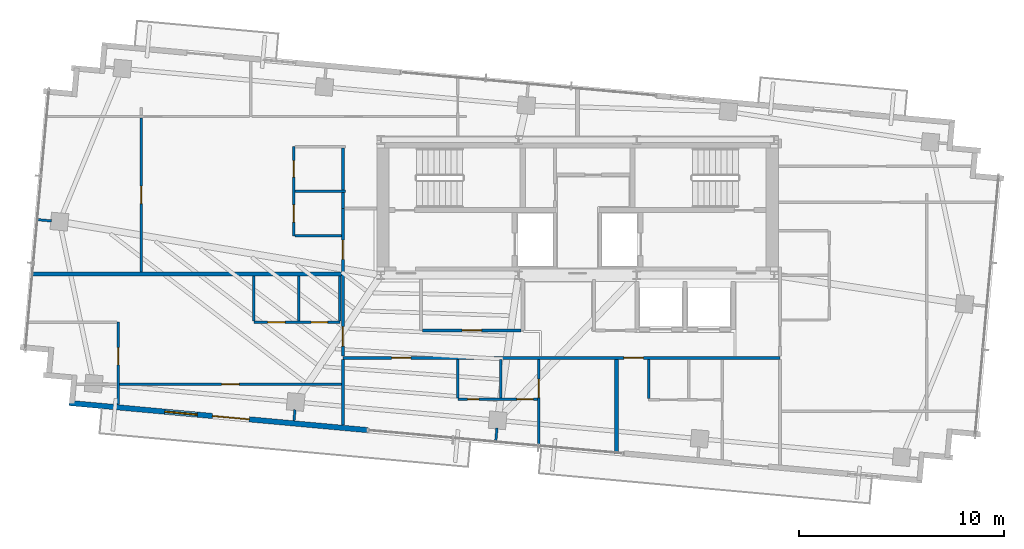
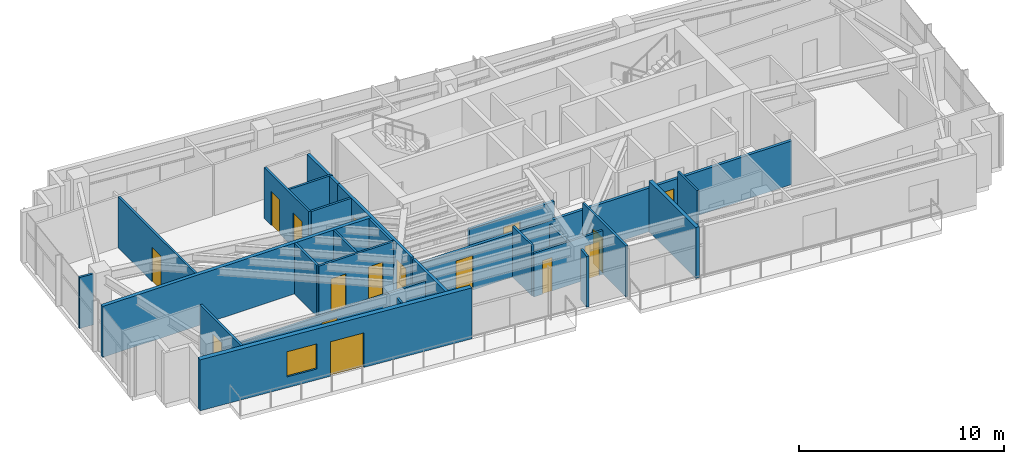
# One storey, part 16 of 22: 27 walls, 16 doors, 1 window, 17 openings.
"""IFC4 building model written with IfcOpenShell, lengths in metres."""

from ifc_helpers import new_model, si_unit, direction, frame, frame_2d, origin, place, context, subcontext, project, spatial, rectangle, extrude, source, transform, mapped, material, layer, layer_set, type_object, type_shapes, element, fill, save


model = new_model("IFC4")

# Units and contexts
model_context = context("Model", 3, precision=1e-05, world=origin(), true_north=direction((0.0, 1.0)))
body_context = subcontext(model_context, "Body", "Model", "MODEL_VIEW")
ifc_project = project(units=[si_unit("LENGTHUNIT", "METRE"), si_unit("AREAUNIT", "SQUARE_METRE"), si_unit("VOLUMEUNIT", "CUBIC_METRE"), si_unit("PLANEANGLEUNIT", "RADIAN"), si_unit("MASSUNIT", "GRAM", prefix="KILO")], contexts=[model_context])

# Site, building, storey
site_placement = place(None, origin())
site = spatial("IfcSite", under=ifc_project, at=site_placement, CompositionType="ELEMENT")
building_placement = place(site_placement, origin())
building = spatial("IfcBuilding", under=site, at=building_placement, Name="Astriad Promenade Condominiums", CompositionType="ELEMENT")
storey_placement = place(building_placement, frame((0.0, 0.0, 226.5)))
storey = spatial("IfcBuildingStorey", under=building, at=storey_placement, Name="L65", CompositionType="ELEMENT", Elevation=226.5)

# Wall, openings, doors
ifc_material_1 = material(Name="Fire-Rated Gypsum Partition")
ifc_layer_1 = layer(ifc_material_1, 0.159912109375)
ifc_layer_set_1 = layer_set([ifc_layer_1], Name="Fire-Rated Gypsum Partition")
wall_type_1 = type_object("IfcWallType", Name="WALL-CORR-160", PredefinedType="PARTITIONING", material=ifc_layer_set_1)
wall_1_placement = place(storey_placement, frame((24.550048828125, 13.360107421875, 0.0), z_axis=(0.0, 0.0, 1.0), x_axis=(1.0, 0.0, 0.0)))
wall_1 = element("IfcWall", 1, at=wall_1_placement, inside=storey, type_object=wall_type_1, Name="PT-COR-S-L65", PredefinedType="PARTITIONING", context=body_context, shape_type="SweptSolid", body=[
    extrude(rectangle(XDim=21.329833984375, YDim=0.159912109375, at=frame_2d((10.6650390625, 0.0))), origin(), (0.0, 0.0, 1.0), 2.604736328125),
])
opening_1_placement = place(wall_1_placement, frame((2.3701171875, 0.0, 0.0)))
opening_1 = element("IfcOpeningElement", 2, at=opening_1_placement, cuts=wall_1, Name="Opening FD60-APT-095", PredefinedType="OPENING", context=body_context, shape_type="SweptSolid", body=[
    extrude(rectangle(XDim=0.949951171875, YDim=2.06005859375, at=frame_2d((0.47509765625, 1.030029296875))), frame((0.0, 0.08984375, 0.0), z_axis=(0.0, -1.0, 0.0), x_axis=(1.0, 0.0, 0.0)), (0.0, 0.0, 1.0), 0.179931640625),
])
opening_2_placement = place(wall_1_placement, frame((13.70703125, 0.0, 0.0)))
opening_2 = element("IfcOpeningElement", 3, at=opening_2_placement, cuts=wall_1, Name="Opening FD60-APT-095", PredefinedType="OPENING", context=body_context, shape_type="SweptSolid", body=[
    extrude(rectangle(XDim=0.949951171875, YDim=2.06005859375, at=frame_2d((0.47509765625, 1.030029296875))), frame((0.0, 0.08984375, 0.0), z_axis=(0.0, -1.0, 0.0), x_axis=(1.0, 0.0, 0.0)), (0.0, 0.0, 1.0), 0.179931640625),
])
ifc_material_2 = material(Name="Solid-Core Acoustic Timber Residence Entry Door", Category="wood")
door_type_1 = type_object("IfcDoorType", Name="FD60-APT-095", OperationType="NOTDEFINED", PredefinedType="DOOR", material=ifc_material_2)
shared_shape_1 = source(origin(), body_context, "Body", "SweptSolid", [
    extrude(rectangle(XDim=0.949951171875, YDim=2.06005859375, at=frame_2d((0.47509765625, 1.030029296875))), frame((0.0, 0.02490234375, 0.0), z_axis=(0.0, -1.0, 0.0), x_axis=(1.0, 0.0, 0.0)), (0.0, 0.0, 1.0), 0.050048828125),
])
type_shapes(door_type_1, [shared_shape_1])
door_1_placement = place(opening_1_placement, origin())
door_1 = element("IfcDoor", 4, at=door_1_placement, inside=storey, type_object=door_type_1, Name="D-ENT-L65-S1", OperationType="SINGLE_SWING_LEFT", OverallHeight=2.06005859375, OverallWidth=0.949951171875, PredefinedType="DOOR", context=body_context, shape_type="MappedRepresentation", body=[
    mapped(shared_shape_1, transform((0.0, 0.0, 0.0), scale=1.0)),
])
fill(opening_1, door_1)
door_2_placement = place(opening_2_placement, origin())
door_2 = element("IfcDoor", 5, at=door_2_placement, inside=storey, type_object=door_type_1, Name="D-ENT-L65-S2", OperationType="SINGLE_SWING_LEFT", OverallHeight=2.06005859375, OverallWidth=0.949951171875, PredefinedType="DOOR", context=body_context, shape_type="MappedRepresentation", body=[
    mapped(shared_shape_1, transform((0.0, 0.0, 0.0), scale=1.0)),
])
fill(opening_2, door_2)

# Wall
wall_2_placement = place(storey_placement, frame((24.550048828125, 10.0771484375, 0.0), z_axis=(0.0, 0.0, 1.0), x_axis=(0.0, 1.0, 0.0)))
element("IfcWall", 6, at=wall_2_placement, inside=storey, type_object=wall_type_1, Name="PT-COR-W-L65", PredefinedType="PARTITIONING", context=body_context, shape_type="SweptSolid", body=[
    extrude(rectangle(XDim=3.200927734375, YDim=0.159912109375, at=frame_2d((1.6005859375, 0.0))), origin(), (0.0, 0.0, 1.0), 3.0400390625),
])

# Wall, openings, doors
wall_3_placement = place(storey_placement, frame((24.550048828125, 13.44189453125, 0.0), z_axis=(0.0, 0.0, 1.0), x_axis=(0.0, 1.0, 0.0)))
wall_3 = element("IfcWall", 7, at=wall_3_placement, inside=storey, type_object=wall_type_1, Name="PT-COR-W-L65-S2", PredefinedType="PARTITIONING", context=body_context, shape_type="SweptSolid", body=[
    extrude(rectangle(XDim=7.2080078125, YDim=0.159912109375, at=frame_2d((3.60400390625, 0.0))), origin(), (0.0, 0.0, 1.0), 3.0400390625),
])
opening_3_placement = place(wall_3_placement, frame((0.492919921875, 0.0, 0.0)))
opening_3 = element("IfcOpeningElement", 8, at=opening_3_placement, cuts=wall_3, Name="Opening FD60-APT-095", PredefinedType="OPENING", context=body_context, shape_type="SweptSolid", body=[
    extrude(rectangle(XDim=0.949951171875, YDim=2.06005859375, at=frame_2d((0.47509765625, 1.030029296875))), frame((0.0, 0.08984375, 0.0), z_axis=(0.0, -1.0, 0.0), x_axis=(1.0, 0.0, 0.0)), (0.0, 0.0, 1.0), 0.179931640625),
])
opening_4_placement = place(wall_3_placement, frame((4.720947265625, 0.0, 0.0)))
opening_4 = element("IfcOpeningElement", 9, at=opening_4_placement, cuts=wall_3, Name="Opening FD60-APT-095", PredefinedType="OPENING", context=body_context, shape_type="SweptSolid", body=[
    extrude(rectangle(XDim=0.949951171875, YDim=2.06005859375, at=frame_2d((0.47509765625, 1.030029296875))), frame((0.0, 0.08984375, 0.0), z_axis=(0.0, -1.0, 0.0), x_axis=(1.0, 0.0, 0.0)), (0.0, 0.0, 1.0), 0.179931640625),
])
door_3_placement = place(opening_3_placement, origin())
door_3 = element("IfcDoor", 10, at=door_3_placement, inside=storey, type_object=door_type_1, Name="D-ENT-L65-W1", OperationType="SINGLE_SWING_LEFT", OverallHeight=2.06005859375, OverallWidth=0.949951171875, PredefinedType="DOOR", context=body_context, shape_type="MappedRepresentation", body=[
    mapped(shared_shape_1, transform((0.0, 0.0, 0.0), scale=1.0)),
])
fill(opening_3, door_3)
door_4_placement = place(opening_4_placement, origin())
door_4 = element("IfcDoor", 11, at=door_4_placement, inside=storey, type_object=door_type_1, Name="D-ENT-L65-W2", OperationType="SINGLE_SWING_RIGHT", OverallHeight=2.06005859375, OverallWidth=0.949951171875, PredefinedType="DOOR", context=body_context, shape_type="MappedRepresentation", body=[
    mapped(shared_shape_1, transform((0.0, 0.0, 0.0), scale=1.0)),
])
fill(opening_4, door_4)

# Walls
wall_4_placement = place(storey_placement, frame((24.550048828125, 20.64990234375, 0.0), z_axis=(0.0, 0.0, 1.0), x_axis=(0.0, 1.0, 0.0)))
element("IfcWall", 12, at=wall_4_placement, inside=storey, type_object=wall_type_1, Name="PT-L65-W2-PBK", PredefinedType="PARTITIONING", context=body_context, shape_type="SweptSolid", body=[
    extrude(rectangle(XDim=0.783203125, YDim=0.159912109375, at=frame_2d((0.3916015625, 0.0))), origin(), (0.0, 0.0, 1.0), 3.0400390625),
])
wall_5_placement = place(storey_placement, frame((24.550048828125, 21.556884765625, 0.0), z_axis=(0.0, 0.0, 1.0), x_axis=(0.0, 1.0, 0.0)))
element("IfcWall", 13, at=wall_5_placement, inside=storey, type_object=wall_type_1, Name="PT-L65-W2-PBK-S2", PredefinedType="PARTITIONING", context=body_context, shape_type="SweptSolid", body=[
    extrude(rectangle(XDim=2.051025390625, YDim=0.159912109375, at=frame_2d((1.025390625, 0.0))), origin(), (0.0, 0.0, 1.0), 3.0400390625),
])

# Wall, opening, door
wall_6_placement = place(storey_placement, frame((28.44189453125, 14.699951171875, 0.0), z_axis=(0.0, 0.0, 1.0), x_axis=(1.0, 0.0, 0.0)))
wall_6 = element("IfcWall", 14, at=wall_6_placement, inside=storey, type_object=wall_type_1, Name="PT-Z3REC-S-L65", PredefinedType="PARTITIONING", context=body_context, shape_type="SweptSolid", body=[
    extrude(rectangle(XDim=4.796142578125, YDim=0.159912109375, at=frame_2d((2.39794921875, 0.0))), origin(), (0.0, 0.0, 1.0), 2.604736328125),
])
opening_5_placement = place(wall_6_placement, frame((1.923095703125, 0.0, 0.0)))
opening_5 = element("IfcOpeningElement", 15, at=opening_5_placement, cuts=wall_6, Name="Opening FD60-APT-095", PredefinedType="OPENING", context=body_context, shape_type="SweptSolid", body=[
    extrude(rectangle(XDim=0.949951171875, YDim=2.06005859375, at=frame_2d((0.47509765625, 1.030029296875))), frame((0.0, 0.08984375, 0.0), z_axis=(0.0, -1.0, 0.0), x_axis=(1.0, 0.0, 0.0)), (0.0, 0.0, 1.0), 0.179931640625),
])
door_5_placement = place(opening_5_placement, origin())
door_5 = element("IfcDoor", 16, at=door_5_placement, inside=storey, type_object=door_type_1, Name="D-Z3R-L65", OperationType="SINGLE_SWING_RIGHT", OverallHeight=2.06005859375, OverallWidth=0.949951171875, PredefinedType="DOOR", context=body_context, shape_type="MappedRepresentation", body=[
    mapped(shared_shape_1, transform((0.0, 0.0, 0.0), scale=1.0)),
])
fill(opening_5, door_5)

# Walls
ifc_material_3 = material(Name="Acoustic Double-Stud Gypsum Partition")
ifc_layer_2 = layer(ifc_material_3, 0.199951171875)
ifc_layer_set_2 = layer_set([ifc_layer_2], Name="Acoustic Double-Stud Gypsum Partition")
wall_type_2 = type_object("IfcWallType", Name="WALL-DEMISING-200", PredefinedType="PARTITIONING", material=ifc_layer_set_2)
wall_7_placement = place(storey_placement, frame((37.89501953125, 8.6796875, 0.0), z_axis=(0.0, 0.0, 1.0), x_axis=(0.0, 1.0, 0.0)))
element("IfcWall", 17, at=wall_7_placement, inside=storey, type_object=wall_type_2, Name="PT-DEM-S1-L65", PredefinedType="PARTITIONING", context=body_context, shape_type="SweptSolid", body=[
    extrude(rectangle(XDim=4.598388671875, YDim=0.199951171875, at=frame_2d((2.29931640625, 0.0))), origin(), (0.0, 0.0, 1.0), 3.0400390625),
])
wall_8_placement = place(storey_placement, frame((9.33349609375, 17.449951171875, 0.0), z_axis=(0.0, 0.0, 1.0), x_axis=(1.0, 0.0, 0.0)))
element("IfcWall", 18, at=wall_8_placement, inside=storey, type_object=wall_type_2, Name="PT-DEM-WW-L65", PredefinedType="PARTITIONING", context=body_context, shape_type="SweptSolid", body=[
    extrude(rectangle(XDim=15.134521484375, YDim=0.199951171875, at=frame_2d((7.5673828125, 0.0))), origin(), (0.0, 0.0, 1.0), 3.0400390625),
])

# Wall, openings, door, window
ifc_material_4 = material(Name="Precast concrete C50/60", Category="concrete")
ifc_layer_3 = layer(ifc_material_4, 0.260009765625)
ifc_layer_set_3 = layer_set([ifc_layer_3], Name="Precast concrete C50/60")
wall_type_3 = type_object("IfcWallType", Name="WALL-EXT-TWR-260", PredefinedType="STANDARD", material=ifc_layer_set_3)
wall_9_placement = place(storey_placement, frame((25.760986328125, 9.83447265625, 0.0), z_axis=(0.0, 0.0, 1.0), x_axis=(-0.995884584572, 0.090630536861, 0.0)))
wall_9 = element("IfcWall", 19, at=wall_9_placement, inside=storey, type_object=wall_type_3, Name="W-EXT-L65-S2", PredefinedType="STANDARD", context=body_context, shape_type="SweptSolid", body=[
    extrude(rectangle(XDim=14.630126953125, YDim=0.260009765625, at=frame_2d((7.31494140625, 0.0))), origin(), (0.0, 0.0, 1.0), 3.0400390625),
])
opening_6_placement = place(wall_9_placement, frame((5.81005859375, 0.0, 0.0)))
opening_6 = element("IfcOpeningElement", 20, at=opening_6_placement, cuts=wall_9, Name="Opening BD-1822-SLD", PredefinedType="OPENING", context=body_context, shape_type="SweptSolid", body=[
    extrude(rectangle(XDim=1.800048828125, YDim=2.06005859375, at=frame_2d((0.89990234375, 1.030029296875))), frame((0.0, 0.139892578125, 0.0), z_axis=(0.0, -1.0, 0.0), x_axis=(1.0, 0.0, 0.0)), (0.0, 0.0, 1.0), 0.280029296875),
])
opening_7_placement = place(wall_9_placement, frame((8.35009765625, 0.0, 0.64990234375)))
opening_7 = element("IfcOpeningElement", 21, at=opening_7_placement, cuts=wall_9, Name="Opening WIN-TWR-1620", PredefinedType="OPENING", context=body_context, shape_type="SweptSolid", body=[
    extrude(rectangle(XDim=1.60009765625, YDim=1.5, at=frame_2d((0.800048828125, 0.75))), frame((0.0, 0.139892578125, 0.0), z_axis=(0.0, -1.0, 0.0), x_axis=(1.0, 0.0, 0.0)), (0.0, 0.0, 1.0), 0.280029296875),
])
ifc_material_5 = material(Name="Thermally Broken Aluminium Sliding Balcony Door", Category="aluminium")
door_type_2 = type_object("IfcDoorType", Name="BD-1822-SLD", OperationType="NOTDEFINED", PredefinedType="DOOR", material=ifc_material_5)
shared_shape_2 = source(origin(), body_context, "Body", "SweptSolid", [
    extrude(rectangle(XDim=1.800048828125, YDim=2.06005859375, at=frame_2d((0.89990234375, 1.030029296875))), frame((0.0, 0.02490234375, 0.0), z_axis=(0.0, -1.0, 0.0), x_axis=(1.0, 0.0, 0.0)), (0.0, 0.0, 1.0), 0.050048828125),
])
type_shapes(door_type_2, [shared_shape_2])
door_6_placement = place(opening_6_placement, origin())
door_6 = element("IfcDoor", 22, at=door_6_placement, inside=storey, type_object=door_type_2, Name="BD-L65-SW", OperationType="SLIDING_TO_LEFT", OverallHeight=2.06005859375, OverallWidth=1.800048828125, PredefinedType="DOOR", context=body_context, shape_type="MappedRepresentation", body=[
    mapped(shared_shape_2, transform((0.0, 0.0, 0.0), scale=1.0)),
])
fill(opening_6, door_6)
ifc_material_6 = material(Name="Dark Tinted Triple-Glazed Aluminium Window", Category="aluminium")
window_type = type_object("IfcWindowType", Name="WIN-TWR-1620", PartitioningType="SINGLE_PANEL", PredefinedType="WINDOW", material=ifc_material_6)
shared_shape_3 = source(origin(), body_context, "Body", "SweptSolid", [
    extrude(rectangle(XDim=1.60009765625, YDim=1.5, at=frame_2d((0.800048828125, 0.75))), frame((0.0, 0.030029296875, 0.0), z_axis=(0.0, -1.0, 0.0), x_axis=(1.0, 0.0, 0.0)), (0.0, 0.0, 1.0), 0.06005859375),
])
type_shapes(window_type, [shared_shape_3])
window_placement = place(opening_7_placement, origin())
window = element("IfcWindow", 23, at=window_placement, inside=storey, type_object=window_type, Name="WIN-L65-SW", OverallHeight=1.5, OverallWidth=1.60009765625, PartitioningType="SINGLE_PANEL", PredefinedType="WINDOW", context=body_context, shape_type="MappedRepresentation", body=[
    mapped(shared_shape_3, transform((0.0, 0.0, 0.0), scale=1.0)),
])
fill(opening_7, window)

# Wall, opening, door
ifc_material_7 = material(Name="Acoustic Metal-Stud Gypsum Partition")
ifc_layer_4 = layer(ifc_material_7, 0.1201171875)
ifc_layer_set_4 = layer_set([ifc_layer_4], Name="Acoustic Metal-Stud Gypsum Partition")
wall_type_4 = type_object("IfcWallType", Name="WALL-PART-120", PredefinedType="PARTITIONING", material=ifc_layer_set_4)
wall_10_placement = place(storey_placement, frame((34.10888671875, 9.0244140625, 0.0), z_axis=(0.0, 0.0, 1.0), x_axis=(0.0, 1.0, 0.0)))
wall_10 = element("IfcWall", 24, at=wall_10_placement, inside=storey, type_object=wall_type_4, Name="PT-L65-S1-BD1", PredefinedType="PARTITIONING", context=body_context, shape_type="SweptSolid", body=[
    extrude(rectangle(XDim=4.253662109375, YDim=0.1201171875, at=frame_2d((2.126953125, 0.0))), origin(), (0.0, 0.0, 1.0), 3.0400390625),
])
opening_8_placement = place(wall_10_placement, frame((2.39453125, 0.0, 0.0)))
opening_8 = element("IfcOpeningElement", 25, at=opening_8_placement, cuts=wall_10, Name="Opening D-INT-090", PredefinedType="OPENING", context=body_context, shape_type="SweptSolid", body=[
    extrude(rectangle(XDim=0.89990234375, YDim=2.050048828125, at=frame_2d((0.449951171875, 1.02490234375))), frame((0.0, 0.070068359375, 0.0), z_axis=(0.0, -1.0, 0.0), x_axis=(1.0, 0.0, 0.0)), (0.0, 0.0, 1.0), 0.14013671875),
])
ifc_material_8 = material(Name="Painted Solid-Core Timber Bedroom Door", Category="wood")
door_type_3 = type_object("IfcDoorType", Name="D-INT-090", OperationType="NOTDEFINED", PredefinedType="DOOR", material=ifc_material_8)
shared_shape_4 = source(origin(), body_context, "Body", "SweptSolid", [
    extrude(rectangle(XDim=0.89990234375, YDim=2.050048828125, at=frame_2d((0.449951171875, 1.02490234375))), frame((0.0, 0.02490234375, 0.0), z_axis=(0.0, -1.0, 0.0), x_axis=(1.0, 0.0, 0.0)), (0.0, 0.0, 1.0), 0.050048828125),
])
type_shapes(door_type_3, [shared_shape_4])
door_7_placement = place(opening_8_placement, origin())
door_7 = element("IfcDoor", 26, at=door_7_placement, inside=storey, type_object=door_type_3, Name="D-BD1-L65-S1", OperationType="SINGLE_SWING_RIGHT", OverallHeight=2.050048828125, OverallWidth=0.89990234375, PredefinedType="DOOR", context=body_context, shape_type="MappedRepresentation", body=[
    mapped(shared_shape_4, transform((0.0, 0.0, 0.0), scale=1.0)),
])
fill(opening_8, door_7)

# Wall, openings, doors
wall_11_placement = place(storey_placement, frame((30.158935546875, 11.3310546875, 0.0), z_axis=(0.0, 0.0, 1.0), x_axis=(1.0, 0.0, 0.0)))
wall_11 = element("IfcWall", 27, at=wall_11_placement, inside=storey, type_object=wall_type_4, Name="PT-L65-S1-PS", PredefinedType="PARTITIONING", context=body_context, shape_type="SweptSolid", body=[
    extrude(rectangle(XDim=3.88818359375, YDim=0.1201171875, at=frame_2d((1.944091796875, 0.0))), origin(), (0.0, 0.0, 1.0), 2.604736328125),
])
opening_9_placement = place(wall_11_placement, frame((0.47509765625, 0.0, 0.0)))
opening_9 = element("IfcOpeningElement", 28, at=opening_9_placement, cuts=wall_11, Name="Opening D-AC-055", PredefinedType="OPENING", context=body_context, shape_type="SweptSolid", body=[
    extrude(rectangle(XDim=0.550048828125, YDim=2.0, at=frame_2d((0.27490234375, 1.0))), frame((0.0, 0.070068359375, 0.0), z_axis=(0.0, -1.0, 0.0), x_axis=(1.0, 0.0, 0.0)), (0.0, 0.0, 1.0), 0.14013671875),
])
opening_10_placement = place(wall_11_placement, frame((2.885009765625, 0.0, 0.0)))
opening_10 = element("IfcOpeningElement", 29, at=opening_10_placement, cuts=wall_11, Name="Opening D-WET-080", PredefinedType="OPENING", context=body_context, shape_type="SweptSolid", body=[
    extrude(rectangle(XDim=0.800048828125, YDim=2.02001953125, at=frame_2d((0.39990234375, 1.010009765625))), frame((0.0, 0.070068359375, 0.0), z_axis=(0.0, -1.0, 0.0), x_axis=(1.0, 0.0, 0.0)), (0.0, 0.0, 1.0), 0.14013671875),
])
ifc_material_9 = material(Name="Moisture-Resistant Timber Bathroom Door", Category="wood")
door_type_4 = type_object("IfcDoorType", Name="D-WET-080", OperationType="NOTDEFINED", PredefinedType="DOOR", material=ifc_material_9)
shared_shape_5 = source(origin(), body_context, "Body", "SweptSolid", [
    extrude(rectangle(XDim=0.800048828125, YDim=2.02001953125, at=frame_2d((0.39990234375, 1.010009765625))), frame((0.0, 0.02490234375, 0.0), z_axis=(0.0, -1.0, 0.0), x_axis=(1.0, 0.0, 0.0)), (0.0, 0.0, 1.0), 0.050048828125),
])
type_shapes(door_type_4, [shared_shape_5])
door_8_placement = place(opening_10_placement, origin())
door_8 = element("IfcDoor", 30, at=door_8_placement, inside=storey, type_object=door_type_4, Name="D-BTH-L65-S1", OperationType="SINGLE_SWING_RIGHT", OverallHeight=2.02001953125, OverallWidth=0.800048828125, PredefinedType="DOOR", context=body_context, shape_type="MappedRepresentation", body=[
    mapped(shared_shape_5, transform((0.0, 0.0, 0.0), scale=1.0)),
])
fill(opening_10, door_8)
ifc_material_10 = material(Name="Painted Timber Access Door", Category="wood")
door_type_5 = type_object("IfcDoorType", Name="D-AC-055", OperationType="NOTDEFINED", PredefinedType="DOOR", material=ifc_material_10)
shared_shape_6 = source(origin(), body_context, "Body", "SweptSolid", [
    extrude(rectangle(XDim=0.550048828125, YDim=2.0, at=frame_2d((0.27490234375, 1.0))), frame((0.0, 0.02490234375, 0.0), z_axis=(0.0, -1.0, 0.0), x_axis=(1.0, 0.0, 0.0)), (0.0, 0.0, 1.0), 0.050048828125),
])
type_shapes(door_type_5, [shared_shape_6])
door_9_placement = place(opening_9_placement, origin())
door_9 = element("IfcDoor", 31, at=door_9_placement, inside=storey, type_object=door_type_5, Name="D-KIT-L65-S1", OperationType="SINGLE_SWING_LEFT", OverallHeight=2.0, OverallWidth=0.550048828125, PredefinedType="DOOR", context=body_context, shape_type="MappedRepresentation", body=[
    mapped(shared_shape_6, transform((0.0, 0.0, 0.0), scale=1.0)),
])
fill(opening_9, door_9)

# Walls
wall_12_placement = place(storey_placement, frame((32.259033203125, 11.39306640625, 0.0), z_axis=(0.0, 0.0, 1.0), x_axis=(0.0, 1.0, 0.0)))
element("IfcWall", 32, at=wall_12_placement, inside=storey, type_object=wall_type_4, Name="PT-L65-S1-PBK", PredefinedType="PARTITIONING", context=body_context, shape_type="SweptSolid", body=[
    extrude(rectangle(XDim=1.885009765625, YDim=0.1201171875, at=frame_2d((0.9423828125, 0.0))), origin(), (0.0, 0.0, 1.0), 2.400146484375),
])
wall_13_placement = place(storey_placement, frame((30.158935546875, 11.39306640625, 0.0), z_axis=(0.0, 0.0, 1.0), x_axis=(0.0, 1.0, 0.0)))
element("IfcWall", 33, at=wall_13_placement, inside=storey, type_object=wall_type_4, Name="PT-L65-S1-PKW", PredefinedType="PARTITIONING", context=body_context, shape_type="SweptSolid", body=[
    extrude(rectangle(XDim=1.885009765625, YDim=0.1201171875, at=frame_2d((0.9423828125, 0.0))), origin(), (0.0, 0.0, 1.0), 3.0400390625),
])
wall_14_placement = place(storey_placement, frame((39.468017578125, 11.3720703125, 0.0), z_axis=(0.0, 0.0, 1.0), x_axis=(0.0, 1.0, 0.0)))
element("IfcWall", 34, at=wall_14_placement, inside=storey, type_object=wall_type_4, Name="PT-L65-S2-PK", PredefinedType="PARTITIONING", context=body_context, shape_type="SweptSolid", body=[
    extrude(rectangle(XDim=1.906005859375, YDim=0.1201171875, at=frame_2d((0.953125, 0.0))), origin(), (0.0, 0.0, 1.0), 3.0400390625),
])

# Wall, openings, doors
wall_15_placement = place(storey_placement, frame((20.199951171875, 15.10009765625, 0.0), z_axis=(0.0, 0.0, 1.0), x_axis=(1.0, 0.0, 0.0)))
wall_15 = element("IfcWall", 35, at=wall_15_placement, inside=storey, type_object=wall_type_4, Name="PT-L65-W1-PH", PredefinedType="PARTITIONING", context=body_context, shape_type="SweptSolid", body=[
    extrude(rectangle(XDim=4.199951171875, YDim=0.1201171875, at=frame_2d((2.10009765625, 0.0))), origin(), (0.0, 0.0, 1.0), 3.0400390625),
])
opening_11_placement = place(wall_15_placement, frame((0.675048828125, 0.0, 0.0)))
opening_11 = element("IfcOpeningElement", 36, at=opening_11_placement, cuts=wall_15, Name="Opening D-INT-085", PredefinedType="OPENING", context=body_context, shape_type="SweptSolid", body=[
    extrude(rectangle(XDim=0.85009765625, YDim=2.050048828125, at=frame_2d((0.425048828125, 1.02490234375))), frame((0.0, 0.070068359375, 0.0), z_axis=(0.0, -1.0, 0.0), x_axis=(1.0, 0.0, 0.0)), (0.0, 0.0, 1.0), 0.14013671875),
])
opening_12_placement = place(wall_15_placement, frame((2.800048828125, 0.0, 0.0)))
opening_12 = element("IfcOpeningElement", 37, at=opening_12_placement, cuts=wall_15, Name="Opening D-WET-080", PredefinedType="OPENING", context=body_context, shape_type="SweptSolid", body=[
    extrude(rectangle(XDim=0.800048828125, YDim=2.02001953125, at=frame_2d((0.39990234375, 1.010009765625))), frame((0.0, 0.070068359375, 0.0), z_axis=(0.0, -1.0, 0.0), x_axis=(1.0, 0.0, 0.0)), (0.0, 0.0, 1.0), 0.14013671875),
])
door_10_placement = place(opening_12_placement, origin())
door_10 = element("IfcDoor", 38, at=door_10_placement, inside=storey, type_object=door_type_4, Name="D-BTH-L65-W1", OperationType="SINGLE_SWING_LEFT", OverallHeight=2.02001953125, OverallWidth=0.800048828125, PredefinedType="DOOR", context=body_context, shape_type="MappedRepresentation", body=[
    mapped(shared_shape_5, transform((0.0, 0.0, 0.0), scale=1.0)),
])
fill(opening_12, door_10)
ifc_material_11 = material(Name="Painted Solid-Core Timber Room Door", Category="wood")
door_type_6 = type_object("IfcDoorType", Name="D-INT-085", OperationType="NOTDEFINED", PredefinedType="DOOR", material=ifc_material_11)
shared_shape_7 = source(origin(), body_context, "Body", "SweptSolid", [
    extrude(rectangle(XDim=0.85009765625, YDim=2.050048828125, at=frame_2d((0.425048828125, 1.02490234375))), frame((0.0, 0.02490234375, 0.0), z_axis=(0.0, -1.0, 0.0), x_axis=(1.0, 0.0, 0.0)), (0.0, 0.0, 1.0), 0.050048828125),
])
type_shapes(door_type_6, [shared_shape_7])
door_11_placement = place(opening_11_placement, origin())
door_11 = element("IfcDoor", 39, at=door_11_placement, inside=storey, type_object=door_type_6, Name="D-KIT-L65-W1", OperationType="SINGLE_SWING_RIGHT", OverallHeight=2.050048828125, OverallWidth=0.85009765625, PredefinedType="DOOR", context=body_context, shape_type="MappedRepresentation", body=[
    mapped(shared_shape_7, transform((0.0, 0.0, 0.0), scale=1.0)),
])
fill(opening_11, door_11)

# Walls
for number, where, z_axis, x_axis, name in (
    (40, (20.199951171875, 15.162109375, 0.0), (0.0, 0.0, 1.0), (0.0, 1.0, 0.0), "PT-L65-W1-PK1"),
    (41, (22.39990234375, 15.162109375, 0.0), (0.0, 0.0, 1.0), (0.0, 1.0, 0.0), "PT-L65-W1-PK2"),
    (42, (24.39990234375, 15.162109375, 0.0), (0.0, 0.0, 1.0), (0.0, 1.0, 0.0), "PT-L65-W1-PK3"),
):
    element("IfcWall", number, at=place(storey_placement, frame(where, z_axis=z_axis, x_axis=x_axis)), inside=storey, type_object=wall_type_4, Name=name, PredefinedType="PARTITIONING", context=body_context, shape_type="SweptSolid", body=[
        extrude(rectangle(XDim=2.185791015625, YDim=0.1201171875, at=frame_2d((1.0927734375, 0.0))), origin(), (0.0, 0.0, 1.0), 3.0400390625),
    ])

# Wall, opening, door
wall_16_placement = place(storey_placement, frame((13.5810546875, 11.075439453125, 0.0), z_axis=(0.0, 0.0, 1.0), x_axis=(0.0, 1.0, 0.0)))
wall_16 = element("IfcWall", 43, at=wall_16_placement, inside=storey, type_object=wall_type_4, Name="PT-L65-W1-CAP1", PredefinedType="PARTITIONING", context=body_context, shape_type="SweptSolid", body=[
    extrude(rectangle(XDim=4.024658203125, YDim=0.1201171875, at=frame_2d((2.01220703125, 0.0))), origin(), (0.0, 0.0, 1.0), 3.0400390625),
])
opening_13_placement = place(wall_16_placement, frame((1.938720703125, 0.0, 0.0)))
opening_13 = element("IfcOpeningElement", 44, at=opening_13_placement, cuts=wall_16, Name="Opening D-INT-085", PredefinedType="OPENING", context=body_context, shape_type="SweptSolid", body=[
    extrude(rectangle(XDim=0.85009765625, YDim=2.050048828125, at=frame_2d((0.425048828125, 1.02490234375))), frame((0.0, 0.070068359375, 0.0), z_axis=(0.0, -1.0, 0.0), x_axis=(1.0, 0.0, 0.0)), (0.0, 0.0, 1.0), 0.14013671875),
])
door_12_placement = place(opening_13_placement, origin())
door_12 = element("IfcDoor", 45, at=door_12_placement, inside=storey, type_object=door_type_6, Name="D-CAP1-L65-W1", OperationType="SINGLE_SWING_RIGHT", OverallHeight=2.050048828125, OverallWidth=0.85009765625, PredefinedType="DOOR", context=body_context, shape_type="MappedRepresentation", body=[
    mapped(shared_shape_7, transform((0.0, 0.0, 0.0), scale=1.0)),
])
fill(opening_13, door_12)

wall_17_placement = place(storey_placement, frame((13.64306640625, 12.072998046875, 0.0), z_axis=(0.0, 0.0, 1.0), x_axis=(1.0, 0.0, 0.0)))
wall_17 = element("IfcWall", 46, at=wall_17_placement, inside=storey, type_object=wall_type_4, Name="PT-L65-W1-CAPH2-S2", PredefinedType="PARTITIONING", context=body_context, shape_type="SweptSolid", body=[
    extrude(rectangle(XDim=10.824951171875, YDim=0.1201171875, at=frame_2d((5.41259765625, 0.0))), origin(), (0.0, 0.0, 1.0), 2.482421875),
])
opening_14_placement = place(wall_17_placement, frame((4.988037109375, 0.0, 0.0)))
opening_14 = element("IfcOpeningElement", 47, at=opening_14_placement, cuts=wall_17, Name="Opening D-INT-085", PredefinedType="OPENING", context=body_context, shape_type="SweptSolid", body=[
    extrude(rectangle(XDim=0.85009765625, YDim=2.050048828125, at=frame_2d((0.425048828125, 1.02490234375))), frame((0.0, 0.070068359375, 0.0), z_axis=(0.0, -1.0, 0.0), x_axis=(1.0, 0.0, 0.0)), (0.0, 0.0, 1.0), 0.14013671875),
])
door_13_placement = place(opening_14_placement, origin())
door_13 = element("IfcDoor", 48, at=door_13_placement, inside=storey, type_object=door_type_6, Name="D-CAPH2-L65-W1", OperationType="SINGLE_SWING_LEFT", OverallHeight=2.050048828125, OverallWidth=0.85009765625, PredefinedType="DOOR", context=body_context, shape_type="MappedRepresentation", body=[
    mapped(shared_shape_7, transform((0.0, 0.0, 0.0), scale=1.0)),
])
fill(opening_14, door_13)

# Wall, openings, doors
wall_18_placement = place(storey_placement, frame((22.14990234375, 19.320068359375, 0.0), z_axis=(0.0, 0.0, 1.0), x_axis=(0.0, 1.0, 0.0)))
wall_18 = element("IfcWall", 49, at=wall_18_placement, inside=storey, type_object=wall_type_4, Name="PT-L65-W2-PV", PredefinedType="PARTITIONING", context=body_context, shape_type="SweptSolid", body=[
    extrude(rectangle(XDim=4.349853515625, YDim=0.1201171875, at=frame_2d((2.1748046875, 0.0))), origin(), (0.0, 0.0, 1.0), 3.0400390625),
])
opening_15_placement = place(wall_18_placement, frame((0.662109375, 0.0, 0.0)))
opening_15 = element("IfcOpeningElement", 50, at=opening_15_placement, cuts=wall_18, Name="Opening D-INT-085", PredefinedType="OPENING", context=body_context, shape_type="SweptSolid", body=[
    extrude(rectangle(XDim=0.85009765625, YDim=2.050048828125, at=frame_2d((0.425048828125, 1.02490234375))), frame((0.0, 0.070068359375, 0.0), z_axis=(0.0, -1.0, 0.0), x_axis=(1.0, 0.0, 0.0)), (0.0, 0.0, 1.0), 0.14013671875),
])
opening_16_placement = place(wall_18_placement, frame((2.863037109375, 0.0, 0.0)))
opening_16 = element("IfcOpeningElement", 51, at=opening_16_placement, cuts=wall_18, Name="Opening D-WET-080", PredefinedType="OPENING", context=body_context, shape_type="SweptSolid", body=[
    extrude(rectangle(XDim=0.800048828125, YDim=2.02001953125, at=frame_2d((0.39990234375, 1.010009765625))), frame((0.0, 0.070068359375, 0.0), z_axis=(0.0, -1.0, 0.0), x_axis=(1.0, 0.0, 0.0)), (0.0, 0.0, 1.0), 0.14013671875),
])
door_14_placement = place(opening_16_placement, origin())
door_14 = element("IfcDoor", 52, at=door_14_placement, inside=storey, type_object=door_type_4, Name="D-BTH-L65-W2", OperationType="SINGLE_SWING_RIGHT", OverallHeight=2.02001953125, OverallWidth=0.800048828125, PredefinedType="DOOR", context=body_context, shape_type="MappedRepresentation", body=[
    mapped(shared_shape_5, transform((0.0, 0.0, 0.0), scale=1.0)),
])
fill(opening_16, door_14)
door_15_placement = place(opening_15_placement, origin())
door_15 = element("IfcDoor", 53, at=door_15_placement, inside=storey, type_object=door_type_6, Name="D-KIT-L65-W2", OperationType="SINGLE_SWING_LEFT", OverallHeight=2.050048828125, OverallWidth=0.85009765625, PredefinedType="DOOR", context=body_context, shape_type="MappedRepresentation", body=[
    mapped(shared_shape_7, transform((0.0, 0.0, 0.0), scale=1.0)),
])
fill(opening_15, door_15)

# Walls
wall_19_placement = place(storey_placement, frame((22.2119140625, 21.4951171875, 0.0), z_axis=(0.0, 0.0, 1.0), x_axis=(1.0, 0.0, 0.0)))
element("IfcWall", 54, at=wall_19_placement, inside=storey, type_object=wall_type_4, Name="PT-L65-W2-PM", PredefinedType="PARTITIONING", context=body_context, shape_type="SweptSolid", body=[
    extrude(rectangle(XDim=2.4580078125, YDim=0.1201171875, at=frame_2d((1.22900390625, 0.0))), origin(), (0.0, 0.0, 1.0), 3.0400390625),
])
wall_20_placement = place(storey_placement, frame((22.2119140625, 19.320068359375, 0.0), z_axis=(0.0, 0.0, 1.0), x_axis=(1.0, 0.0, 0.0)))
element("IfcWall", 55, at=wall_20_placement, inside=storey, type_object=wall_type_4, Name="PT-L65-W2-PS", PredefinedType="PARTITIONING", context=body_context, shape_type="SweptSolid", body=[
    extrude(rectangle(XDim=2.256103515625, YDim=0.1201171875, at=frame_2d((1.1279296875, 0.0))), origin(), (0.0, 0.0, 1.0), 3.0400390625),
])

# Wall, opening, door
wall_21_placement = place(storey_placement, frame((14.7099609375, 17.552001953125, 0.0), z_axis=(0.0, 0.0, 1.0), x_axis=(0.0, 1.0, 0.0)))
wall_21 = element("IfcWall", 56, at=wall_21_placement, inside=storey, type_object=wall_type_4, Name="PT-L65-W2-WDV1", PredefinedType="PARTITIONING", context=body_context, shape_type="SweptSolid", body=[
    extrude(rectangle(XDim=7.528076171875, YDim=0.1201171875, at=frame_2d((3.76416015625, 0.0))), origin(), (0.0, 0.0, 1.0), 3.0400390625),
])
opening_17_placement = place(wall_21_placement, frame((3.339111328125, 0.0, 0.0)))
opening_17 = element("IfcOpeningElement", 57, at=opening_17_placement, cuts=wall_21, Name="Opening D-INT-085", PredefinedType="OPENING", context=body_context, shape_type="SweptSolid", body=[
    extrude(rectangle(XDim=0.85009765625, YDim=2.050048828125, at=frame_2d((0.425048828125, 1.02490234375))), frame((0.0, 0.070068359375, 0.0), z_axis=(0.0, -1.0, 0.0), x_axis=(1.0, 0.0, 0.0)), (0.0, 0.0, 1.0), 0.14013671875),
])
door_16_placement = place(opening_17_placement, origin())
door_16 = element("IfcDoor", 58, at=door_16_placement, inside=storey, type_object=door_type_6, Name="D-WDV1-L65-W2", OperationType="SINGLE_SWING_RIGHT", OverallHeight=2.050048828125, OverallWidth=0.85009765625, PredefinedType="DOOR", context=body_context, shape_type="MappedRepresentation", body=[
    mapped(shared_shape_7, transform((0.0, 0.0, 0.0), scale=1.0)),
])
fill(opening_17, door_16)

# Walls
wall_22_placement = place(storey_placement, frame((22.206787109375, 10.83056640625, 0.0), z_axis=(0.0, 0.0, 1.0), x_axis=(-0.090781299264, -0.995870852924, 0.0)))
element("IfcWall", 59, at=wall_22_placement, inside=storey, type_object=wall_type_4, Name="PT-PIL-L65-PC02-9", PredefinedType="PARTITIONING", context=body_context, shape_type="SweptSolid", body=[
    extrude(rectangle(XDim=0.537841796875, YDim=0.1201171875, at=frame_2d((0.26904296875, 0.0))), origin(), (0.0, 0.0, 1.0), 3.0400390625),
])
wall_23_placement = place(storey_placement, frame((32.06591796875, 9.933349609375, 0.0), z_axis=(0.0, 0.0, 1.0), x_axis=(-0.090872036342, -0.995862577373, 0.0)))
element("IfcWall", 60, at=wall_23_placement, inside=storey, type_object=wall_type_4, Name="PT-PIL-L65-PC03-10", PredefinedType="PARTITIONING", context=body_context, shape_type="SweptSolid", body=[
    extrude(rectangle(XDim=0.719970703125, YDim=0.1201171875, at=frame_2d((0.35986328125, 0.0))), origin(), (0.0, 0.0, 1.0), 3.0400390625),
])
wall_24_placement = place(storey_placement, frame((10.3330078125, 20.044677734375, 0.0), z_axis=(0.0, 0.0, 1.0), x_axis=(-0.995890573658, 0.09056470228, 0.0)))
element("IfcWall", 61, at=wall_24_placement, inside=storey, type_object=wall_type_4, Name="PT-PIL-L65-PC11-18", PredefinedType="PARTITIONING", context=body_context, shape_type="SweptSolid", body=[
    extrude(rectangle(XDim=0.76025390625, YDim=0.1201171875, at=frame_2d((0.380126953125, 0.0))), origin(), (0.0, 0.0, 1.0), 3.0400390625),
])

save(model, "model.ifc")
